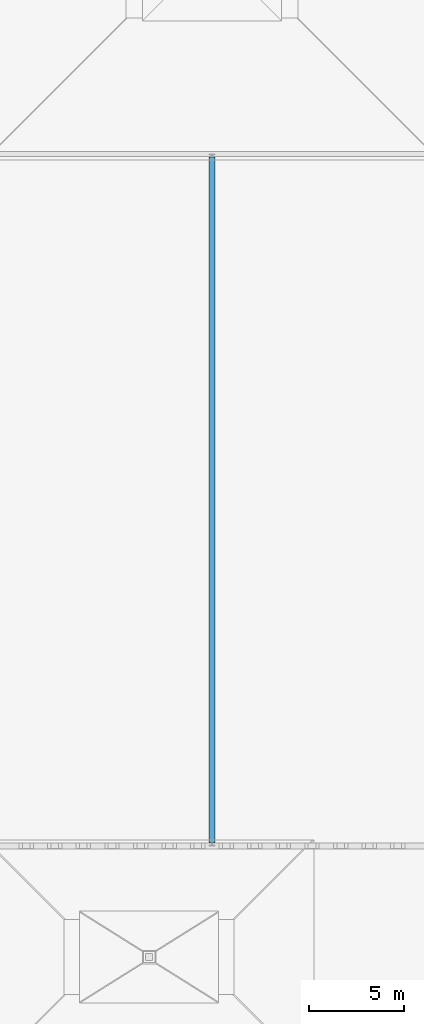
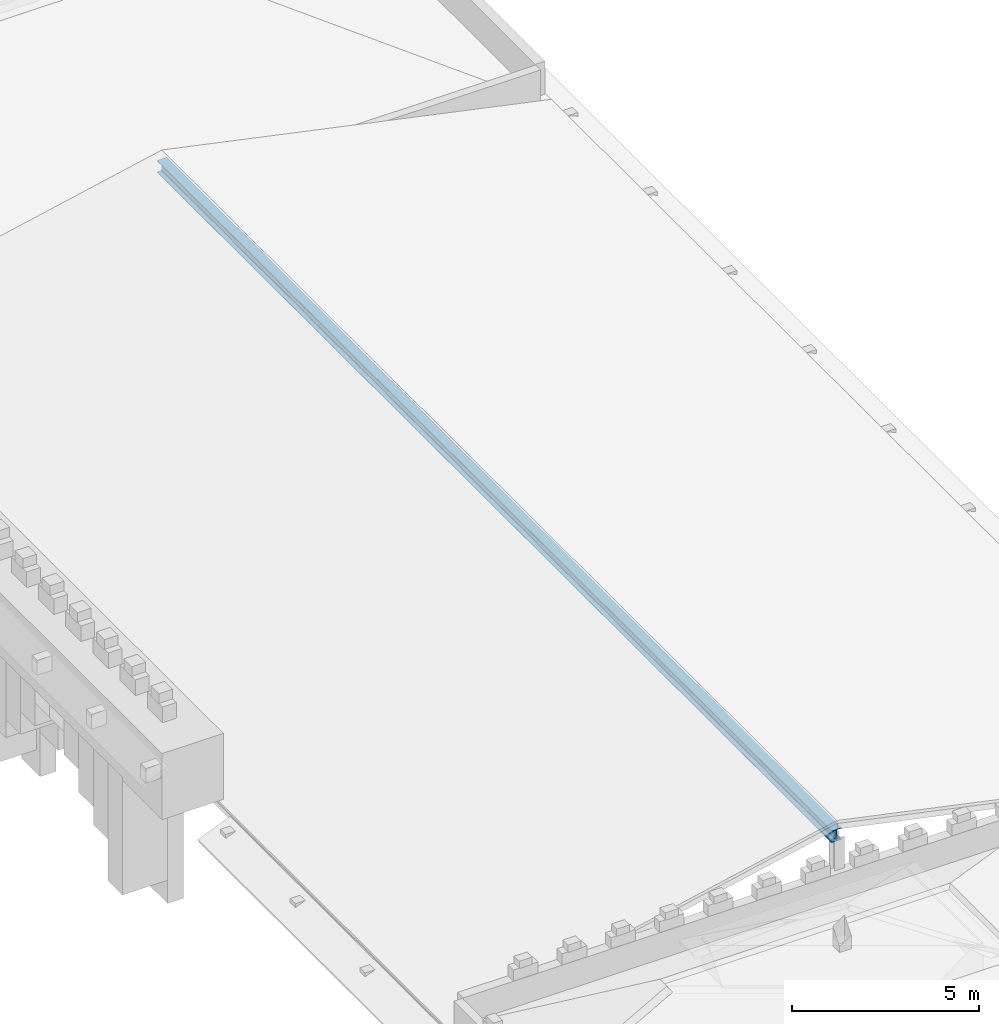
# One storey, part 13 of 83: 1 beam.
"""IFC4 building model written with IfcOpenShell, lengths in metres."""

from ifc_helpers import new_model, si_unit, direction, frame, origin, origin_2d, place, context, subcontext, project, spatial, i_section, extrude, material, material_profile, profile_set, type_object, element, save


model = new_model("IFC4")

# Units and contexts
model_context = context("Model", 3, precision=1e-05, world=origin(), true_north=direction((0.0, 1.0)))
body_context = subcontext(model_context, "Body", "Model", "MODEL_VIEW")
ifc_project = project(units=[si_unit("LENGTHUNIT", "METRE"), si_unit("AREAUNIT", "SQUARE_METRE"), si_unit("VOLUMEUNIT", "CUBIC_METRE"), si_unit("PLANEANGLEUNIT", "RADIAN"), si_unit("MASSUNIT", "GRAM", prefix="KILO")], contexts=[model_context])

# Site, building, storey
site_placement = place(None, origin())
site = spatial("IfcSite", under=ifc_project, at=site_placement, CompositionType="ELEMENT")
building_placement = place(site_placement, origin())
building = spatial("IfcBuilding", under=site, at=building_placement, Name="Zlatogorsky Bluff Art Gallery", CompositionType="ELEMENT")
storey_placement = place(building_placement, frame((0.0, 0.0, 10.800048828125)))
storey = spatial("IfcBuildingStorey", under=building, at=storey_placement, Name="L02", CompositionType="ELEMENT", Elevation=10.800048828125)

# Beam
ifc_material = material(Name="Steel S355", Category="steel")
ifc_material_profile = material_profile(ifc_material, i_section(OverallWidth=0.300048828125, OverallDepth=0.389892578125, WebThickness=0.010986328125, FlangeThickness=0.01904296875, FilletRadius=0.027099609375, at=origin_2d()), Name="HEA 400")
ifc_profile_set = profile_set([ifc_material_profile], Name="Steel S355")
beam_type = type_object("IfcBeamType", Name="Beam BM-09 HEA 400", PredefinedType="BEAM", material=ifc_profile_set)
beam_placement = place(storey_placement, frame((12.0, 26.39990234375, 2.170654296875), z_axis=(0.0, 1.0, 0.0), x_axis=(-1.0, 0.0, 0.0)))
element("IfcBeam", 1, at=beam_placement, inside=storey, type_object=beam_type, Name="Auditorium roof ridge girder", PredefinedType="BEAM", context=body_context, shape_type="SweptSolid", body=[
    extrude(i_section(OverallWidth=0.300048828125, OverallDepth=0.389892578125, WebThickness=0.010986328125, FlangeThickness=0.01904296875, FilletRadius=0.027099609375, at=origin_2d()), origin(), (0.0, 0.0, 1.0), 36.0),
])

save(model, "model.ifc")
